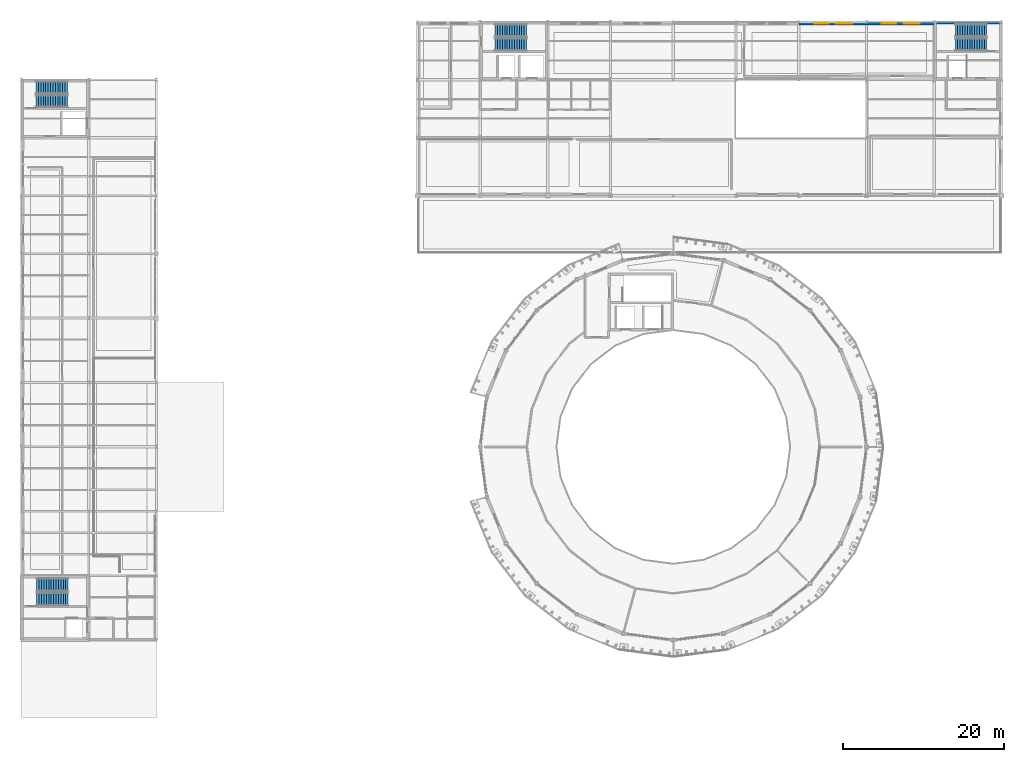
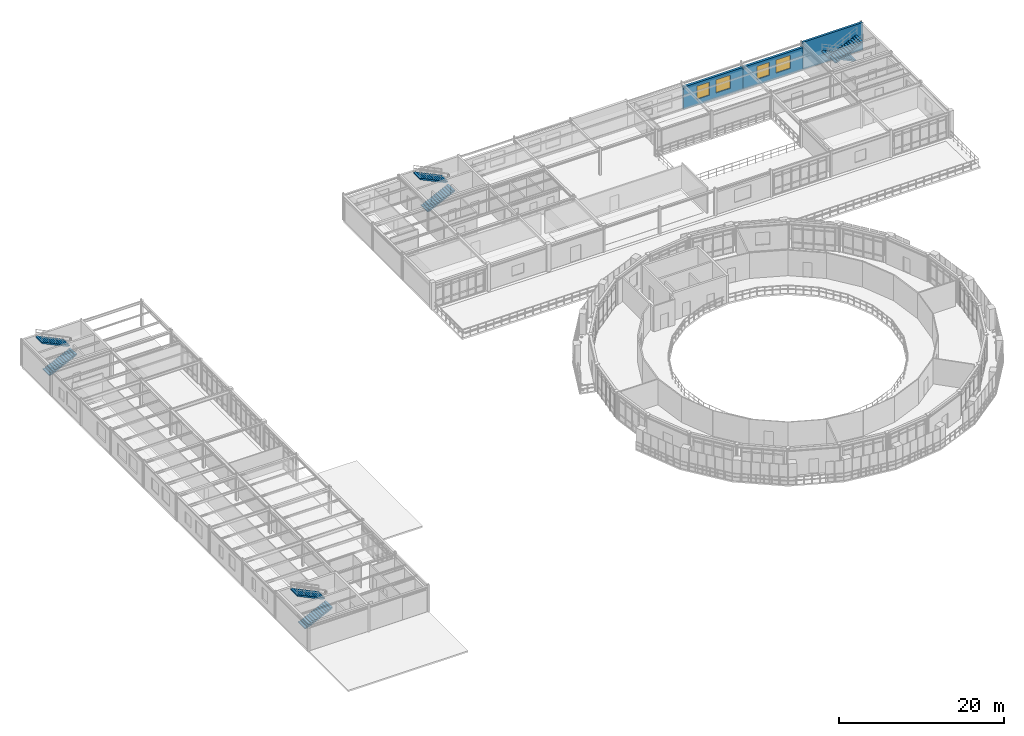
# One storey, part 49 of 58: 8 stair flights, 4 windows, 3 walls, 4 openings, 4 elements without a shape of their own.
"""IFC4 building model written with IfcOpenShell, lengths in metres."""

from ifc_helpers import new_model, si_unit, derived_unit, direction, frame, frame_2d, origin, place, context, subcontext, project, spatial, polyline, rectangle, outline, extrude, material, layer, layer_set, type_object, element, fill, aggregate, save


model = new_model("IFC4")

# Units and contexts
model_context = context("Model", 3, precision=1e-05, world=origin(), true_north=direction((0.0, 1.0)))
body_context = subcontext(model_context, "Body", "Model", "MODEL_VIEW")
ifc_project = project(units=[si_unit("LENGTHUNIT", "METRE"), si_unit("AREAUNIT", "SQUARE_METRE"), si_unit("VOLUMEUNIT", "CUBIC_METRE"), si_unit("PLANEANGLEUNIT", "RADIAN"), si_unit("MASSUNIT", "GRAM", prefix="KILO"), derived_unit("THERMALTRANSMITTANCEUNIT", [(si_unit("POWERUNIT", "WATT"), 1), (si_unit("AREAUNIT", "SQUARE_METRE"), -1), (si_unit("THERMODYNAMICTEMPERATUREUNIT", "KELVIN"), -1)])], contexts=[model_context])

# Site, building, storey
site_placement = place(None, origin())
site = spatial("IfcSite", under=ifc_project, at=site_placement, CompositionType="ELEMENT")
building_placement = place(site_placement, origin())
building = spatial("IfcBuilding", under=site, at=building_placement, Name="Yasenodar Specialist Clinic", CompositionType="ELEMENT")
storey_placement = place(building_placement, frame((0.0, 0.0, 17.25)))
storey = spatial("IfcBuildingStorey", under=building, at=storey_placement, Name="L04", CompositionType="ELEMENT", Elevation=17.25)

# Wall, openings, windows
ifc_material_1 = material(Name="Buff Architectural Terracotta Rainscreen", Category="masonry")
ifc_layer_1 = layer(ifc_material_1, 0.340087890625)
ifc_layer_set_1 = layer_set([ifc_layer_1], Name="Buff Architectural Terracotta Rainscreen")
wall_type_1 = type_object("IfcWallType", Name="EW-TERR-340", PredefinedType="SOLIDWALL", material=ifc_layer_set_1)
wall_1_placement = place(storey_placement, frame((105.0, 111.39990234375, 0.0), z_axis=(0.0, 0.0, 1.0), x_axis=(1.0, 0.0, 0.0)))
wall_1 = element("IfcWall", 1, at=wall_1_placement, inside=storey, type_object=wall_type_1, Name="L04 Exterior Facade Wall 0179", PredefinedType="SOLIDWALL", context=body_context, shape_type="SweptSolid", body=[
    extrude(rectangle(XDim=8.39990234375, YDim=0.340087890625, at=frame_2d((4.199951171875, 0.0))), origin(), (0.0, 0.0, 1.0), 3.327880859375),
])
opening_1_placement = place(wall_1_placement, frame((1.89990234375, 0.0, 0.85009765625)))
opening_1 = element("IfcOpeningElement", 2, at=opening_1_placement, cuts=wall_1, Name="Opening W-05", PredefinedType="OPENING", context=body_context, shape_type="SweptSolid", body=[
    extrude(rectangle(XDim=1.800048828125, YDim=1.949951171875, at=frame_2d((0.89990234375, 0.97509765625))), frame((0.0, 0.18017578125, 0.0), z_axis=(0.0, -1.0, 0.0), x_axis=(1.0, 0.0, 0.0)), (0.0, 0.0, 1.0), 0.360107421875),
])
opening_2_placement = place(wall_1_placement, frame((4.60009765625, 0.0, 0.85009765625)))
opening_2 = element("IfcOpeningElement", 3, at=opening_2_placement, cuts=wall_1, Name="Opening W-06", PredefinedType="OPENING", context=body_context, shape_type="SweptSolid", body=[
    extrude(rectangle(XDim=2.0, YDim=1.949951171875, at=frame_2d((1.0, 0.97509765625))), frame((0.0, 0.18017578125, 0.0), z_axis=(0.0, -1.0, 0.0), x_axis=(1.0, 0.0, 0.0)), (0.0, 0.0, 1.0), 0.360107421875),
])
ifc_material_2 = material(Name="Triple Low-E Argon Glazing in Bronze Aluminium Frame", Category="aluminium")
window_type_1 = type_object("IfcWindowType", Name="WIN-EXT-05", PartitioningType="SINGLE_PANEL", PredefinedType="WINDOW", material=ifc_material_2)
window_1_placement = place(opening_1_placement, origin())
window_1 = element("IfcWindow", 4, at=window_1_placement, inside=storey, type_object=window_type_1, Name="L04 Triple-Glazed Reveal Window 0204", OverallHeight=1.949951171875, OverallWidth=1.800048828125, PartitioningType="SINGLE_PANEL", PredefinedType="WINDOW", context=body_context, shape_type="SweptSolid", body=[
    extrude(rectangle(XDim=1.800048828125, YDim=1.949951171875, at=frame_2d((0.89990234375, 0.97509765625))), frame((0.0, 0.030029296875, 0.0), z_axis=(0.0, -1.0, 0.0), x_axis=(1.0, 0.0, 0.0)), (0.0, 0.0, 1.0), 0.06005859375),
])
fill(opening_1, window_1)
window_type_2 = type_object("IfcWindowType", Name="WIN-EXT-06", PartitioningType="SINGLE_PANEL", PredefinedType="WINDOW", material=ifc_material_2)
window_2_placement = place(opening_2_placement, origin())
window_2 = element("IfcWindow", 5, at=window_2_placement, inside=storey, type_object=window_type_2, Name="L04 Triple-Glazed Reveal Window 0205", OverallHeight=1.949951171875, OverallWidth=2.0, PartitioningType="SINGLE_PANEL", PredefinedType="WINDOW", context=body_context, shape_type="SweptSolid", body=[
    extrude(rectangle(XDim=2.0, YDim=1.949951171875, at=frame_2d((1.0, 0.97509765625))), frame((0.0, 0.030029296875, 0.0), z_axis=(0.0, -1.0, 0.0), x_axis=(1.0, 0.0, 0.0)), (0.0, 0.0, 1.0), 0.06005859375),
])
fill(opening_2, window_2)

wall_2_placement = place(storey_placement, frame((96.60009765625, 111.39990234375, 0.0), z_axis=(0.0, 0.0, 1.0), x_axis=(1.0, 0.0, 0.0)))
wall_2 = element("IfcWall", 6, at=wall_2_placement, inside=storey, type_object=wall_type_1, Name="L04 Exterior Facade Wall 0180", PredefinedType="SOLIDWALL", context=body_context, shape_type="SweptSolid", body=[
    extrude(rectangle(XDim=8.39990234375, YDim=0.340087890625, at=frame_2d((4.199951171875, 0.0))), origin(), (0.0, 0.0, 1.0), 3.327880859375),
])
opening_3_placement = place(wall_2_placement, frame((1.89990234375, 0.0, 0.85009765625)))
opening_3 = element("IfcOpeningElement", 7, at=opening_3_placement, cuts=wall_2, Name="Opening W-05", PredefinedType="OPENING", context=body_context, shape_type="SweptSolid", body=[
    extrude(rectangle(XDim=1.800048828125, YDim=1.949951171875, at=frame_2d((0.89990234375, 0.97509765625))), frame((0.0, 0.18017578125, 0.0), z_axis=(0.0, -1.0, 0.0), x_axis=(1.0, 0.0, 0.0)), (0.0, 0.0, 1.0), 0.360107421875),
])
opening_4_placement = place(wall_2_placement, frame((4.60009765625, 0.0, 0.85009765625)))
opening_4 = element("IfcOpeningElement", 8, at=opening_4_placement, cuts=wall_2, Name="Opening W-06", PredefinedType="OPENING", context=body_context, shape_type="SweptSolid", body=[
    extrude(rectangle(XDim=2.0, YDim=1.949951171875, at=frame_2d((1.0, 0.97509765625))), frame((0.0, 0.18017578125, 0.0), z_axis=(0.0, -1.0, 0.0), x_axis=(1.0, 0.0, 0.0)), (0.0, 0.0, 1.0), 0.360107421875),
])
window_3_placement = place(opening_3_placement, origin())
window_3 = element("IfcWindow", 9, at=window_3_placement, inside=storey, type_object=window_type_1, Name="L04 Triple-Glazed Reveal Window 0206", OverallHeight=1.949951171875, OverallWidth=1.800048828125, PartitioningType="SINGLE_PANEL", PredefinedType="WINDOW", context=body_context, shape_type="SweptSolid", body=[
    extrude(rectangle(XDim=1.800048828125, YDim=1.949951171875, at=frame_2d((0.89990234375, 0.97509765625))), frame((0.0, 0.030029296875, 0.0), z_axis=(0.0, -1.0, 0.0), x_axis=(1.0, 0.0, 0.0)), (0.0, 0.0, 1.0), 0.06005859375),
])
fill(opening_3, window_3)
window_4_placement = place(opening_4_placement, origin())
window_4 = element("IfcWindow", 10, at=window_4_placement, inside=storey, type_object=window_type_2, Name="L04 Triple-Glazed Reveal Window 0207", OverallHeight=1.949951171875, OverallWidth=2.0, PartitioningType="SINGLE_PANEL", PredefinedType="WINDOW", context=body_context, shape_type="SweptSolid", body=[
    extrude(rectangle(XDim=2.0, YDim=1.949951171875, at=frame_2d((1.0, 0.97509765625))), frame((0.0, 0.030029296875, 0.0), z_axis=(0.0, -1.0, 0.0), x_axis=(1.0, 0.0, 0.0)), (0.0, 0.0, 1.0), 0.06005859375),
])
fill(opening_4, window_4)

# Wall
ifc_material_3 = material(Name="Concrete C35/45", Category="concrete")
ifc_layer_2 = layer(ifc_material_3, 0.300048828125)
ifc_layer_set_2 = layer_set([ifc_layer_2], Name="Concrete C35/45")
wall_type_2 = type_object("IfcWallType", Name="WL-CORE-300", PredefinedType="SHEAR", material=ifc_layer_set_2)
wall_3_placement = place(storey_placement, frame((113.39990234375, 111.449951171875, 0.0), z_axis=(0.0, 0.0, 1.0), x_axis=(1.0, 0.0, 0.0)))
element("IfcWall", 11, at=wall_3_placement, inside=storey, type_object=wall_type_2, Name="L04 Core C5 North Shear Wall", PredefinedType="SHEAR", context=body_context, shape_type="SweptSolid", body=[
    extrude(rectangle(XDim=8.400146484375, YDim=0.300048828125, at=frame_2d((4.2001953125, 0.0))), origin(), (0.0, 0.0, 1.0), 4.050048828125),
])

# Stair, stair flights
ifc_material_4 = material(Name="Concrete C30/37", Category="concrete")
stair_type_1 = type_object("IfcStairType", Name="ST-DOG-C1-28", PredefinedType="HALF_TURN_STAIR", material=ifc_material_4)
stair_1_placement = place(storey_placement, origin())
stair_1 = element("IfcStair", 12, at=stair_1_placement, inside=storey, type_object=stair_type_1, Name="L04 Core C1 Exit Stair ST-01", PredefinedType="HALF_TURN_STAIR")
stair_flight_type_1 = type_object("IfcStairFlightType", Name="STF-C1-28", PredefinedType="STRAIGHT", material=ifc_material_4)
stair_flight_1_placement = place(storey_placement, frame((1.929931640625, 39.875, 0.0), z_axis=(0.0, 0.0, 1.0), x_axis=(1.0, 0.0, 0.0)))
stair_flight_1 = element("IfcStairFlight", 13, at=stair_flight_1_placement, type_object=stair_flight_type_1, Name="ST-01 flight 1", NumberOfRisers=14, NumberOfTreads=13, PredefinedType="STRAIGHT", RiserHeight=0.144642857, TreadLength=0.3, context=body_context, shape_type="SweptSolid", body=[
    extrude(outline(polyline([(0.0, 0.0), (0.0, 0.14453125), (0.300048828125, 0.14453125), (0.300048828125, 0.289306640625), (0.60009765625, 0.289306640625), (0.60009765625, 0.433837890625), (0.89990234375, 0.433837890625), (0.89990234375, 0.57861328125), (1.199951171875, 0.57861328125), (1.199951171875, 0.72314453125), (1.5, 0.72314453125), (1.5, 0.867919921875), (1.800048828125, 0.867919921875), (1.800048828125, 1.012451171875), (2.10009765625, 1.012451171875), (2.10009765625, 1.1572265625), (2.39990234375, 1.1572265625), (2.39990234375, 1.3017578125), (2.699951171875, 1.3017578125), (2.699951171875, 1.446533203125), (3.0, 1.446533203125), (3.0, 1.591064453125), (3.300048828125, 1.591064453125), (3.300048828125, 1.735595703125), (3.60009765625, 1.735595703125), (3.60009765625, 1.88037109375), (3.89990234375, 1.88037109375), (3.89990234375, 2.02490234375), (3.89990234375, 1.702880859375), (0.3681640625, 0.0), (0.0, 0.0)])), frame((0.0, 0.81494140625, 0.0), z_axis=(0.0, -1.0, 0.0), x_axis=(1.0, 0.0, 0.0)), (0.0, 0.0, 1.0), 1.6298828125),
])
stair_flight_2_placement = place(storey_placement, frame((5.830078125, 41.695068359375, 2.02490234375), z_axis=(0.0, 0.0, 1.0), x_axis=(-1.0, 0.0, 0.0)))
stair_flight_2 = element("IfcStairFlight", 14, at=stair_flight_2_placement, type_object=stair_flight_type_1, Name="ST-01 flight 2", NumberOfRisers=14, NumberOfTreads=13, PredefinedType="STRAIGHT", RiserHeight=0.144642857, TreadLength=0.3, context=body_context, shape_type="SweptSolid", body=[
    extrude(outline(polyline([(0.0, 0.0), (0.0, 0.14453125), (0.300048828125, 0.14453125), (0.300048828125, 0.289306640625), (0.60009765625, 0.289306640625), (0.60009765625, 0.433837890625), (0.89990234375, 0.433837890625), (0.89990234375, 0.57861328125), (1.199951171875, 0.57861328125), (1.199951171875, 0.72314453125), (1.5, 0.72314453125), (1.5, 0.867919921875), (1.800048828125, 0.867919921875), (1.800048828125, 1.012451171875), (2.10009765625, 1.012451171875), (2.10009765625, 1.1572265625), (2.39990234375, 1.1572265625), (2.39990234375, 1.3017578125), (2.699951171875, 1.3017578125), (2.699951171875, 1.446533203125), (3.0, 1.446533203125), (3.0, 1.591064453125), (3.300048828125, 1.591064453125), (3.300048828125, 1.735595703125), (3.60009765625, 1.735595703125), (3.60009765625, 1.88037109375), (3.89990234375, 1.88037109375), (3.89990234375, 2.02490234375), (3.89990234375, 1.702880859375), (0.3681640625, 0.0), (0.0, 0.0)])), frame((0.0, 0.81494140625, 0.0), z_axis=(0.0, -1.0, 0.0), x_axis=(1.0, 0.0, 0.0)), (0.0, 0.0, 1.0), 1.6298828125),
])
aggregate(stair_1, [stair_flight_1, stair_flight_2])

stair_type_2 = type_object("IfcStairType", Name="ST-DOG-C2-28", PredefinedType="HALF_TURN_STAIR", material=ifc_material_4)
stair_2_placement = place(storey_placement, origin())
stair_2 = element("IfcStair", 15, at=stair_2_placement, inside=storey, type_object=stair_type_2, Name="L04 Core C2 Exit Stair ST-02", PredefinedType="HALF_TURN_STAIR")
stair_flight_type_2 = type_object("IfcStairFlightType", Name="STF-C2-28", PredefinedType="STRAIGHT", material=ifc_material_4)
stair_flight_3_placement = place(storey_placement, frame((1.840087890625, 101.72998046875, 0.0), z_axis=(0.0, 0.0, 1.0), x_axis=(1.0, 0.0, 0.0)))
stair_flight_3 = element("IfcStairFlight", 16, at=stair_flight_3_placement, type_object=stair_flight_type_2, Name="ST-02 flight 1", NumberOfRisers=14, NumberOfTreads=13, PredefinedType="STRAIGHT", RiserHeight=0.144642857, TreadLength=0.3, context=body_context, shape_type="SweptSolid", body=[
    extrude(outline(polyline([(0.0, 0.0), (0.0, 0.14453125), (0.300048828125, 0.14453125), (0.300048828125, 0.289306640625), (0.60009765625, 0.289306640625), (0.60009765625, 0.433837890625), (0.89990234375, 0.433837890625), (0.89990234375, 0.57861328125), (1.199951171875, 0.57861328125), (1.199951171875, 0.72314453125), (1.5, 0.72314453125), (1.5, 0.867919921875), (1.800048828125, 0.867919921875), (1.800048828125, 1.012451171875), (2.10009765625, 1.012451171875), (2.10009765625, 1.1572265625), (2.39990234375, 1.1572265625), (2.39990234375, 1.3017578125), (2.699951171875, 1.3017578125), (2.699951171875, 1.446533203125), (3.0, 1.446533203125), (3.0, 1.591064453125), (3.300048828125, 1.591064453125), (3.300048828125, 1.735595703125), (3.60009765625, 1.735595703125), (3.60009765625, 1.88037109375), (3.89990234375, 1.88037109375), (3.89990234375, 2.02490234375), (3.89990234375, 1.702880859375), (0.3681640625, 0.0), (0.0, 0.0)])), frame((0.0, 0.77001953125, 0.0), z_axis=(0.0, -1.0, 0.0), x_axis=(1.0, 0.0, 0.0)), (0.0, 0.0, 1.0), 1.5400390625),
])
stair_flight_4_placement = place(storey_placement, frame((5.739990234375, 103.429931640625, 2.02490234375), z_axis=(0.0, 0.0, 1.0), x_axis=(-1.0, 0.0, 0.0)))
stair_flight_4 = element("IfcStairFlight", 17, at=stair_flight_4_placement, type_object=stair_flight_type_2, Name="ST-02 flight 2", NumberOfRisers=14, NumberOfTreads=13, PredefinedType="STRAIGHT", RiserHeight=0.144642857, TreadLength=0.3, context=body_context, shape_type="SweptSolid", body=[
    extrude(outline(polyline([(0.0, 0.0), (0.0, 0.14453125), (0.300048828125, 0.14453125), (0.300048828125, 0.289306640625), (0.60009765625, 0.289306640625), (0.60009765625, 0.433837890625), (0.89990234375, 0.433837890625), (0.89990234375, 0.57861328125), (1.199951171875, 0.57861328125), (1.199951171875, 0.72314453125), (1.5, 0.72314453125), (1.5, 0.867919921875), (1.800048828125, 0.867919921875), (1.800048828125, 1.012451171875), (2.10009765625, 1.012451171875), (2.10009765625, 1.1572265625), (2.39990234375, 1.1572265625), (2.39990234375, 1.3017578125), (2.699951171875, 1.3017578125), (2.699951171875, 1.446533203125), (3.0, 1.446533203125), (3.0, 1.591064453125), (3.300048828125, 1.591064453125), (3.300048828125, 1.735595703125), (3.60009765625, 1.735595703125), (3.60009765625, 1.88037109375), (3.89990234375, 1.88037109375), (3.89990234375, 2.02490234375), (3.89990234375, 1.702880859375), (0.3681640625, 0.0), (0.0, 0.0)])), frame((0.0, 0.77001953125, 0.0), z_axis=(0.0, -1.0, 0.0), x_axis=(1.0, 0.0, 0.0)), (0.0, 0.0, 1.0), 1.5400390625),
])
aggregate(stair_2, [stair_flight_3, stair_flight_4])

stair_type_3 = type_object("IfcStairType", Name="ST-DOG-C4-28", PredefinedType="HALF_TURN_STAIR", material=ifc_material_4)
stair_3_placement = place(storey_placement, origin())
stair_3 = element("IfcStair", 18, at=stair_3_placement, inside=storey, type_object=stair_type_3, Name="L04 Core C4 Exit Stair ST-04", PredefinedType="HALF_TURN_STAIR")
stair_flight_type_3 = type_object("IfcStairFlightType", Name="STF-C4-28", PredefinedType="STRAIGHT", material=ifc_material_4)
stair_flight_5_placement = place(storey_placement, frame((58.8701171875, 108.794921875, 0.0), z_axis=(0.0, 0.0, 1.0), x_axis=(1.0, 0.0, 0.0)))
stair_flight_5 = element("IfcStairFlight", 19, at=stair_flight_5_placement, type_object=stair_flight_type_3, Name="ST-04 flight 1", NumberOfRisers=14, NumberOfTreads=13, PredefinedType="STRAIGHT", RiserHeight=0.144642857, TreadLength=0.3, context=body_context, shape_type="SweptSolid", body=[
    extrude(outline(polyline([(0.0, 0.0), (0.0, 0.14453125), (0.300048828125, 0.14453125), (0.300048828125, 0.289306640625), (0.60009765625, 0.289306640625), (0.60009765625, 0.433837890625), (0.89990234375, 0.433837890625), (0.89990234375, 0.57861328125), (1.199951171875, 0.57861328125), (1.199951171875, 0.72314453125), (1.5, 0.72314453125), (1.5, 0.867919921875), (1.800048828125, 0.867919921875), (1.800048828125, 1.012451171875), (2.10009765625, 1.012451171875), (2.10009765625, 1.1572265625), (2.39990234375, 1.1572265625), (2.39990234375, 1.3017578125), (2.699951171875, 1.3017578125), (2.699951171875, 1.446533203125), (3.0, 1.446533203125), (3.0, 1.591064453125), (3.300048828125, 1.591064453125), (3.300048828125, 1.735595703125), (3.60009765625, 1.735595703125), (3.60009765625, 1.88037109375), (3.89990234375, 1.88037109375), (3.89990234375, 2.02490234375), (3.89990234375, 1.702880859375), (0.3681640625, 0.0), (0.0, 0.0)])), frame((0.0, 0.78515625, 0.0), z_axis=(0.0, -1.0, 0.0), x_axis=(1.0, 0.0, 0.0)), (0.0, 0.0, 1.0), 1.570068359375),
])
stair_flight_6_placement = place(storey_placement, frame((62.77001953125, 110.52490234375, 2.02490234375), z_axis=(0.0, 0.0, 1.0), x_axis=(-1.0, 0.0, 0.0)))
stair_flight_6 = element("IfcStairFlight", 20, at=stair_flight_6_placement, type_object=stair_flight_type_3, Name="ST-04 flight 2", NumberOfRisers=14, NumberOfTreads=13, PredefinedType="STRAIGHT", RiserHeight=0.144642857, TreadLength=0.3, context=body_context, shape_type="SweptSolid", body=[
    extrude(outline(polyline([(0.0, 0.0), (0.0, 0.14453125), (0.300048828125, 0.14453125), (0.300048828125, 0.289306640625), (0.60009765625, 0.289306640625), (0.60009765625, 0.433837890625), (0.89990234375, 0.433837890625), (0.89990234375, 0.57861328125), (1.199951171875, 0.57861328125), (1.199951171875, 0.72314453125), (1.5, 0.72314453125), (1.5, 0.867919921875), (1.800048828125, 0.867919921875), (1.800048828125, 1.012451171875), (2.10009765625, 1.012451171875), (2.10009765625, 1.1572265625), (2.39990234375, 1.1572265625), (2.39990234375, 1.3017578125), (2.699951171875, 1.3017578125), (2.699951171875, 1.446533203125), (3.0, 1.446533203125), (3.0, 1.591064453125), (3.300048828125, 1.591064453125), (3.300048828125, 1.735595703125), (3.60009765625, 1.735595703125), (3.60009765625, 1.88037109375), (3.89990234375, 1.88037109375), (3.89990234375, 2.02490234375), (3.89990234375, 1.702880859375), (0.3681640625, 0.0), (0.0, 0.0)])), frame((0.0, 0.78515625, 0.0), z_axis=(0.0, -1.0, 0.0), x_axis=(1.0, 0.0, 0.0)), (0.0, 0.0, 1.0), 1.570068359375),
])
aggregate(stair_3, [stair_flight_5, stair_flight_6])

stair_4_placement = place(storey_placement, origin())
stair_4 = element("IfcStair", 21, at=stair_4_placement, inside=storey, type_object=stair_type_3, Name="L04 Core C5 Exit Stair ST-05", PredefinedType="HALF_TURN_STAIR")
stair_flight_7_placement = place(storey_placement, frame((119.929931640625, 110.52490234375, 0.0), z_axis=(0.0, 0.0, 1.0), x_axis=(-1.0, 0.0, 0.0)))
stair_flight_7 = element("IfcStairFlight", 22, at=stair_flight_7_placement, type_object=stair_flight_type_3, Name="ST-05 flight 1", NumberOfRisers=14, NumberOfTreads=13, PredefinedType="STRAIGHT", RiserHeight=0.144642857, TreadLength=0.3, context=body_context, shape_type="SweptSolid", body=[
    extrude(outline(polyline([(0.0, 0.0), (0.0, 0.14453125), (0.300048828125, 0.14453125), (0.300048828125, 0.289306640625), (0.60009765625, 0.289306640625), (0.60009765625, 0.433837890625), (0.89990234375, 0.433837890625), (0.89990234375, 0.57861328125), (1.199951171875, 0.57861328125), (1.199951171875, 0.72314453125), (1.5, 0.72314453125), (1.5, 0.867919921875), (1.800048828125, 0.867919921875), (1.800048828125, 1.012451171875), (2.10009765625, 1.012451171875), (2.10009765625, 1.1572265625), (2.39990234375, 1.1572265625), (2.39990234375, 1.3017578125), (2.699951171875, 1.3017578125), (2.699951171875, 1.446533203125), (3.0, 1.446533203125), (3.0, 1.591064453125), (3.300048828125, 1.591064453125), (3.300048828125, 1.735595703125), (3.60009765625, 1.735595703125), (3.60009765625, 1.88037109375), (3.89990234375, 1.88037109375), (3.89990234375, 2.02490234375), (3.89990234375, 1.702880859375), (0.3681640625, 0.0), (0.0, 0.0)])), frame((0.0, 0.78515625, 0.0), z_axis=(0.0, -1.0, 0.0), x_axis=(1.0, 0.0, 0.0)), (0.0, 0.0, 1.0), 1.570068359375),
])
stair_flight_8_placement = place(storey_placement, frame((116.030029296875, 108.794921875, 2.02490234375), z_axis=(0.0, 0.0, 1.0), x_axis=(1.0, 0.0, 0.0)))
stair_flight_8 = element("IfcStairFlight", 23, at=stair_flight_8_placement, type_object=stair_flight_type_3, Name="ST-05 flight 2", NumberOfRisers=14, NumberOfTreads=13, PredefinedType="STRAIGHT", RiserHeight=0.144642857, TreadLength=0.3, context=body_context, shape_type="SweptSolid", body=[
    extrude(outline(polyline([(0.0, 0.0), (0.0, 0.14453125), (0.300048828125, 0.14453125), (0.300048828125, 0.289306640625), (0.60009765625, 0.289306640625), (0.60009765625, 0.433837890625), (0.89990234375, 0.433837890625), (0.89990234375, 0.57861328125), (1.199951171875, 0.57861328125), (1.199951171875, 0.72314453125), (1.5, 0.72314453125), (1.5, 0.867919921875), (1.800048828125, 0.867919921875), (1.800048828125, 1.012451171875), (2.10009765625, 1.012451171875), (2.10009765625, 1.1572265625), (2.39990234375, 1.1572265625), (2.39990234375, 1.3017578125), (2.699951171875, 1.3017578125), (2.699951171875, 1.446533203125), (3.0, 1.446533203125), (3.0, 1.591064453125), (3.300048828125, 1.591064453125), (3.300048828125, 1.735595703125), (3.60009765625, 1.735595703125), (3.60009765625, 1.88037109375), (3.89990234375, 1.88037109375), (3.89990234375, 2.02490234375), (3.89990234375, 1.702880859375), (0.3681640625, 0.0), (0.0, 0.0)])), frame((0.0, 0.78515625, 0.0), z_axis=(0.0, -1.0, 0.0), x_axis=(1.0, 0.0, 0.0)), (0.0, 0.0, 1.0), 1.570068359375),
])
aggregate(stair_4, [stair_flight_7, stair_flight_8])

save(model, "model.ifc")
